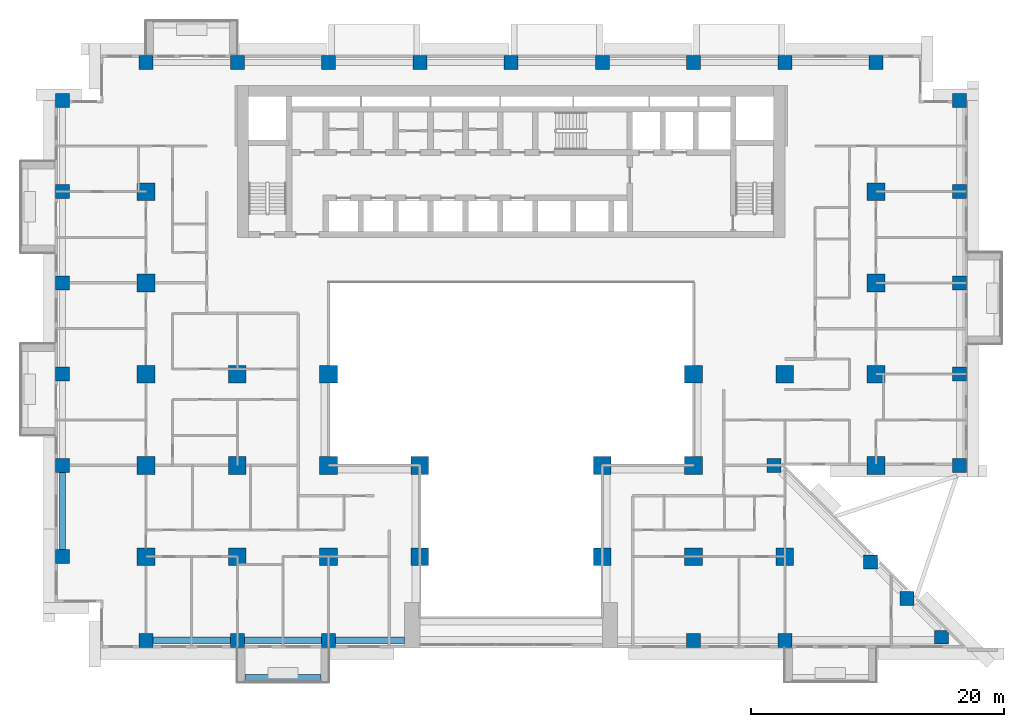
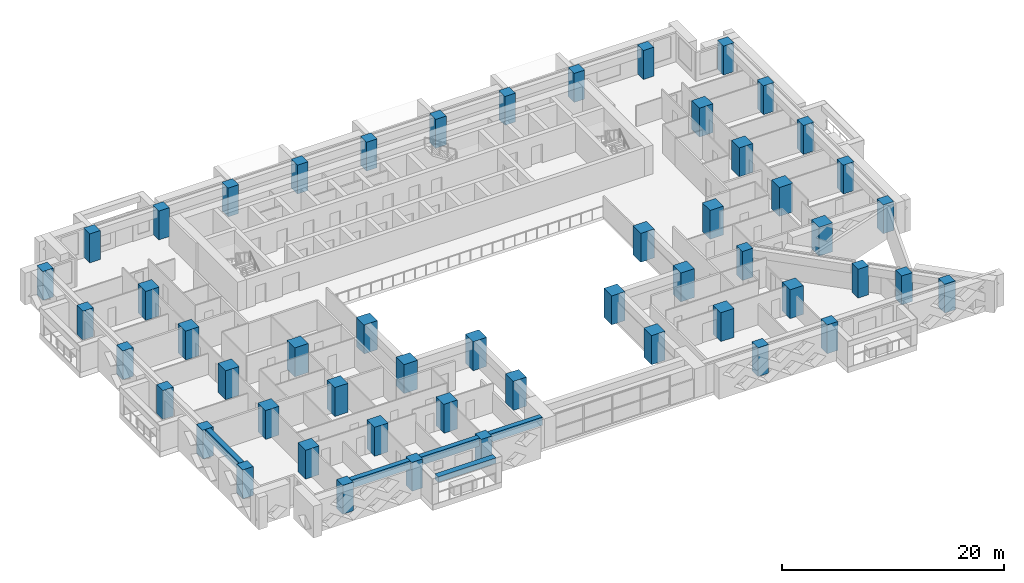
# One storey, part 1 of 17: 53 columns, 5 beams.
"""IFC4 building model written with IfcOpenShell, lengths in metres."""

from ifc_helpers import new_model, si_unit, direction, frame, origin, origin_2d, place, context, subcontext, project, spatial, rectangle, extrude, source, transform, mapped, material, material_profile, profile_set, type_object, element, save


model = new_model("IFC4")

# Units and contexts
model_context = context("Model", 3, precision=1e-05, world=origin(), true_north=direction((0.0, 1.0)))
body_context = subcontext(model_context, "Body", "Model", "MODEL_VIEW")
ifc_project = project(units=[si_unit("LENGTHUNIT", "METRE"), si_unit("AREAUNIT", "SQUARE_METRE"), si_unit("VOLUMEUNIT", "CUBIC_METRE"), si_unit("PLANEANGLEUNIT", "RADIAN"), si_unit("MASSUNIT", "GRAM", prefix="KILO")], contexts=[model_context])

# Site, building, storey
site_placement = place(None, origin())
site = spatial("IfcSite", under=ifc_project, at=site_placement, CompositionType="ELEMENT")
building_placement = place(site_placement, origin())
building = spatial("IfcBuilding", under=site, at=building_placement, Name="Saffron Iwan Residences", CompositionType="ELEMENT")
storey_placement = place(building_placement, frame((0.0, 0.0, 34.0)))
storey = spatial("IfcBuildingStorey", under=building, at=storey_placement, Name="L07", CompositionType="ELEMENT", Elevation=34.0)

# Columns
ifc_material_1 = material(Name="Concrete C60/75", Category="concrete")
ifc_material_profile_1 = material_profile(ifc_material_1, rectangle(XDim=1.10009765625, YDim=1.10009765625, at=origin_2d()), Name="RC 1100x1100")
ifc_profile_set_1 = profile_set([ifc_material_profile_1], Name="Concrete C60/75")
column_type_1 = type_object("IfcColumnType", Name="COL RC 1100x1100 C60/75 3180 HIGH", PredefinedType="COLUMN", material=ifc_profile_set_1)
shared_shape_1 = source(origin(), body_context, "Body", "SweptSolid", [
    extrude(rectangle(XDim=1.10009765625, YDim=1.10009765625, at=origin_2d()), origin(), (0.0, 0.0, 1.0), 3.179931640625),
])
for number, where, z_axis, x_axis, name in (
    (1, (21.60009765625, 34.199951171875, 0.0), (0.0, 0.0, 1.0), (1.0, 0.0, 0.0), "Column C038"),
    (2, (28.800048828125, 34.199951171875, 0.0), (0.0, 0.0, 1.0), (1.0, 0.0, 0.0), "Column C039"),
    (3, (36.0, 34.199951171875, 0.0), (0.0, 0.0, 1.0), (1.0, 0.0, 0.0), "Column C040"),
    (4, (64.800048828125, 34.199951171875, 0.0), (0.0, 0.0, 1.0), (1.0, 0.0, 0.0), "Column C041"),
    (5, (72.0, 34.199951171875, 0.0), (0.0, 0.0, 1.0), (1.0, 0.0, 0.0), "Column C042"),
    (6, (84.367431640625, 34.44189453125, 0.0), (0.0, 0.0, 1.0), (1.0, 0.0, 0.0), "Column C043"),
    (7, (81.65576171875, 37.49560546875, 0.0), (0.0, 0.0, 1.0), (1.0, 0.0, 0.0), "Column C044"),
    (8, (78.775634765625, 40.375732421875, 0.0), (0.0, 0.0, 1.0), (1.0, 0.0, 0.0), "Column C047"),
    (9, (15.0, 40.800048828125, 0.0), (0.0, 0.0, 1.0), (1.0, 0.0, 0.0), "Column C048"),
    (10, (15.0, 48.0, 0.0), (0.0, 0.0, 1.0), (1.0, 0.0, 0.0), "Column C061"),
    (11, (71.14990234375, 48.0, 0.0), (0.0, 0.0, 1.0), (1.0, 0.0, 0.0), "Column C070"),
    (12, (85.800048828125, 48.0, 0.0), (0.0, 0.0, 1.0), (1.0, 0.0, 0.0), "Column C074"),
    (13, (15.0, 55.199951171875, 0.0), (0.0, 0.0, 1.0), (1.0, 0.0, 0.0), "Column C077"),
    (14, (85.800048828125, 55.199951171875, 0.0), (0.0, 0.0, 1.0), (1.0, 0.0, 0.0), "Column C086"),
    (15, (15.0, 62.39990234375, 0.0), (0.0, 0.0, 1.0), (1.0, 0.0, 0.0), "Column C089"),
    (16, (85.800048828125, 62.39990234375, 0.0), (0.0, 0.0, 1.0), (1.0, 0.0, 0.0), "Column C094"),
    (17, (15.0, 69.60009765625, 0.0), (0.0, 0.0, 1.0), (1.0, 0.0, 0.0), "Column C097"),
    (18, (85.800048828125, 69.60009765625, 0.0), (0.0, 0.0, 1.0), (1.0, 0.0, 0.0), "Column C102"),
    (19, (15.0, 76.800048828125, 0.0), (0.0, 0.0, 1.0), (1.0, 0.0, 0.0), "Column C105"),
    (20, (85.800048828125, 76.800048828125, 0.0), (0.0, 0.0, 1.0), (1.0, 0.0, 0.0), "Column C110"),
    (21, (21.60009765625, 79.800048828125, 0.0), (0.0, 0.0, 1.0), (1.0, 0.0, 0.0), "Column C113"),
    (22, (28.800048828125, 79.800048828125, 0.0), (0.0, 0.0, 1.0), (1.0, 0.0, 0.0), "Column C115"),
    (23, (36.0, 79.800048828125, 0.0), (0.0, 0.0, 1.0), (1.0, 0.0, 0.0), "Column C116"),
    (24, (43.199951171875, 79.800048828125, 0.0), (0.0, 0.0, 1.0), (1.0, 0.0, 0.0), "Column C117"),
    (25, (50.39990234375, 79.800048828125, 0.0), (0.0, 0.0, 1.0), (1.0, 0.0, 0.0), "Column C118"),
    (26, (57.60009765625, 79.800048828125, 0.0), (0.0, 0.0, 1.0), (1.0, 0.0, 0.0), "Column C119"),
    (27, (64.800048828125, 79.800048828125, 0.0), (0.0, 0.0, 1.0), (1.0, 0.0, 0.0), "Column C120"),
    (28, (72.0, 79.800048828125, 0.0), (0.0, 0.0, 1.0), (1.0, 0.0, 0.0), "Column C121"),
    (29, (79.199951171875, 79.800048828125, 0.0), (0.0, 0.0, 1.0), (1.0, 0.0, 0.0), "Column C123"),
):
    element("IfcColumn", number, at=place(storey_placement, frame(where, z_axis=z_axis, x_axis=x_axis)), inside=storey, type_object=column_type_1, Name=name, PredefinedType="COLUMN", context=body_context, shape_type="MappedRepresentation", body=[
        mapped(shared_shape_1, transform((0.0, 0.0, 0.0))),
    ])
ifc_material_profile_2 = material_profile(ifc_material_1, rectangle(XDim=1.39990234375, YDim=1.39990234375, at=origin_2d()), Name="RC 1400x1400")
ifc_profile_set_2 = profile_set([ifc_material_profile_2], Name="Concrete C60/75")
column_type_2 = type_object("IfcColumnType", Name="COL RC 1400x1400 C60/75 3180 HIGH", PredefinedType="COLUMN", material=ifc_profile_set_2)
shared_shape_2 = source(origin(), body_context, "Body", "SweptSolid", [
    extrude(rectangle(XDim=1.39990234375, YDim=1.39990234375, at=origin_2d()), origin(), (0.0, 0.0, 1.0), 3.179931640625),
])
for number, where, z_axis, x_axis, name in (
    (30, (21.60009765625, 40.800048828125, 0.0), (0.0, 0.0, 1.0), (1.0, 0.0, 0.0), "Column C049"),
    (31, (28.800048828125, 40.800048828125, 0.0), (0.0, 0.0, 1.0), (1.0, 0.0, 0.0), "Column C051"),
    (32, (36.0, 40.800048828125, 0.0), (0.0, 0.0, 1.0), (1.0, 0.0, 0.0), "Column C052"),
    (33, (43.199951171875, 40.800048828125, 0.0), (0.0, 0.0, 1.0), (1.0, 0.0, 0.0), "Column C053"),
    (34, (57.60009765625, 40.800048828125, 0.0), (0.0, 0.0, 1.0), (1.0, 0.0, 0.0), "Column C054"),
    (35, (64.800048828125, 40.800048828125, 0.0), (0.0, 0.0, 1.0), (1.0, 0.0, 0.0), "Column C055"),
    (36, (72.0, 40.800048828125, 0.0), (0.0, 0.0, 1.0), (1.0, 0.0, 0.0), "Column C056"),
    (37, (21.60009765625, 48.0, 0.0), (0.0, 0.0, 1.0), (1.0, 0.0, 0.0), "Column C063"),
    (38, (28.800048828125, 48.0, 0.0), (0.0, 0.0, 1.0), (1.0, 0.0, 0.0), "Column C064"),
    (39, (36.0, 48.0, 0.0), (0.0, 0.0, 1.0), (1.0, 0.0, 0.0), "Column C065"),
    (40, (43.199951171875, 48.0, 0.0), (0.0, 0.0, 1.0), (1.0, 0.0, 0.0), "Column C066"),
    (41, (57.60009765625, 48.0, 0.0), (0.0, 0.0, 1.0), (1.0, 0.0, 0.0), "Column C068"),
    (42, (64.800048828125, 48.0, 0.0), (0.0, 0.0, 1.0), (1.0, 0.0, 0.0), "Column C069"),
    (43, (79.199951171875, 48.0, 0.0), (0.0, 0.0, 1.0), (1.0, 0.0, 0.0), "Column C072"),
    (44, (21.60009765625, 55.199951171875, 0.0), (0.0, 0.0, 1.0), (1.0, 0.0, 0.0), "Column C079"),
    (45, (28.800048828125, 55.199951171875, 0.0), (0.0, 0.0, 1.0), (1.0, 0.0, 0.0), "Column C080"),
    (46, (36.0, 55.199951171875, 0.0), (0.0, 0.0, 1.0), (1.0, 0.0, 0.0), "Column C081"),
    (47, (64.800048828125, 55.199951171875, 0.0), (0.0, 0.0, 1.0), (1.0, 0.0, 0.0), "Column C082"),
    (48, (72.0, 55.199951171875, 0.0), (0.0, 0.0, 1.0), (1.0, 0.0, 0.0), "Column C083"),
    (49, (79.199951171875, 55.199951171875, 0.0), (0.0, 0.0, 1.0), (1.0, 0.0, 0.0), "Column C084"),
    (50, (21.60009765625, 62.39990234375, 0.0), (0.0, 0.0, 1.0), (1.0, 0.0, 0.0), "Column C091"),
    (51, (79.199951171875, 62.39990234375, 0.0), (0.0, 0.0, 1.0), (1.0, 0.0, 0.0), "Column C092"),
    (52, (21.60009765625, 69.60009765625, 0.0), (0.0, 0.0, 1.0), (1.0, 0.0, 0.0), "Column C099"),
    (53, (79.199951171875, 69.60009765625, 0.0), (0.0, 0.0, 1.0), (1.0, 0.0, 0.0), "Column C100"),
):
    element("IfcColumn", number, at=place(storey_placement, frame(where, z_axis=z_axis, x_axis=x_axis)), inside=storey, type_object=column_type_2, Name=name, PredefinedType="COLUMN", context=body_context, shape_type="MappedRepresentation", body=[
        mapped(shared_shape_2, transform((0.0, 0.0, 0.0))),
    ])

# Beams
ifc_material_profile_3 = material_profile(ifc_material_1, rectangle(XDim=0.5, YDim=0.89990234375, at=origin_2d()), Name="RC 500x900")
ifc_profile_set_3 = profile_set([ifc_material_profile_3], Name="Concrete C60/75")
beam_type_1 = type_object("IfcBeamType", Name="SPANDREL BEAM RC 500x900 C60/75 TOP 3180", PredefinedType="SPANDREL", material=ifc_profile_set_3)
shared_shape_3 = source(origin(), body_context, "Body", "SweptSolid", [
    extrude(rectangle(XDim=0.5, YDim=0.89990234375, at=origin_2d()), origin(), (0.0, 0.0, 1.0), 6.10009765625),
])
beam_1_placement = place(storey_placement, frame((28.25, 34.199951171875, 2.72998046875), z_axis=(-1.0, 0.0, 0.0), x_axis=(0.0, -1.0, 0.0)))
element("IfcBeam", 54, at=beam_1_placement, inside=storey, type_object=beam_type_1, Name="Spandrel beam", PredefinedType="SPANDREL", context=body_context, shape_type="MappedRepresentation", body=[
    mapped(shared_shape_3, transform((0.0, 0.0, 0.0))),
])
shared_shape_4 = source(origin(), body_context, "Body", "SweptSolid", [
    extrude(rectangle(XDim=0.5, YDim=0.89990234375, at=origin_2d()), origin(), (0.0, 0.0, 1.0), 6.099853515625),
])
for number, where, z_axis, x_axis, name in (
    (55, (35.449951171875, 34.199951171875, 2.72998046875), (-1.0, 0.0, 0.0), (0.0, -1.0, 0.0), "Spandrel beam"),
    (56, (15.0, 41.35009765625, 2.72998046875), (0.0, 1.0, 0.0), (-1.0, 0.0, 0.0), "Spandrel beam"),
):
    element("IfcBeam", number, at=place(storey_placement, frame(where, z_axis=z_axis, x_axis=x_axis)), inside=storey, type_object=beam_type_1, Name=name, PredefinedType="SPANDREL", context=body_context, shape_type="MappedRepresentation", body=[
        mapped(shared_shape_4, transform((0.0, 0.0, 0.0))),
    ])
shared_shape_5 = source(origin(), body_context, "Body", "SweptSolid", [
    extrude(rectangle(XDim=0.5, YDim=0.89990234375, at=origin_2d()), origin(), (0.0, 0.0, 1.0), 5.449951171875),
])
beam_2_placement = place(storey_placement, frame((42.0, 34.199951171875, 2.72998046875), z_axis=(-1.0, 0.0, 0.0), x_axis=(0.0, -1.0, 0.0)))
element("IfcBeam", 57, at=beam_2_placement, inside=storey, type_object=beam_type_1, Name="Spandrel beam", PredefinedType="SPANDREL", context=body_context, shape_type="MappedRepresentation", body=[
    mapped(shared_shape_5, transform((0.0, 0.0, 0.0))),
])
ifc_material_2 = material(Name="Concrete C50/60 white painted", Category="concrete")
ifc_material_profile_4 = material_profile(ifc_material_2, rectangle(XDim=0.60009765625, YDim=0.60009765625, at=origin_2d()), Name="BALCONY FASCIA BEAM 600 x 600")
ifc_profile_set_4 = profile_set([ifc_material_profile_4], Name="Concrete C50/60 white painted")
beam_type_2 = type_object("IfcBeamType", Name="BALCONY FASCIA BEAM 600 x 600", PredefinedType="BEAM", material=ifc_profile_set_4)
shared_shape_6 = source(origin(), body_context, "Body", "SweptSolid", [
    extrude(rectangle(XDim=0.60009765625, YDim=0.60009765625, at=origin_2d()), origin(), (0.0, 0.0, 1.0), 6.0),
])
beam_3_placement = place(storey_placement, frame((29.39990234375, 31.199951171875, 2.550048828125), z_axis=(1.0, 0.0, 0.0), x_axis=(0.0, 1.0, 0.0)))
element("IfcBeam", 58, at=beam_3_placement, inside=storey, type_object=beam_type_2, Name="Balcony fascia beam L07 11-0", PredefinedType="BEAM", context=body_context, shape_type="MappedRepresentation", body=[
    mapped(shared_shape_6, transform((0.0, 0.0, 0.0))),
])

save(model, "model.ifc")
